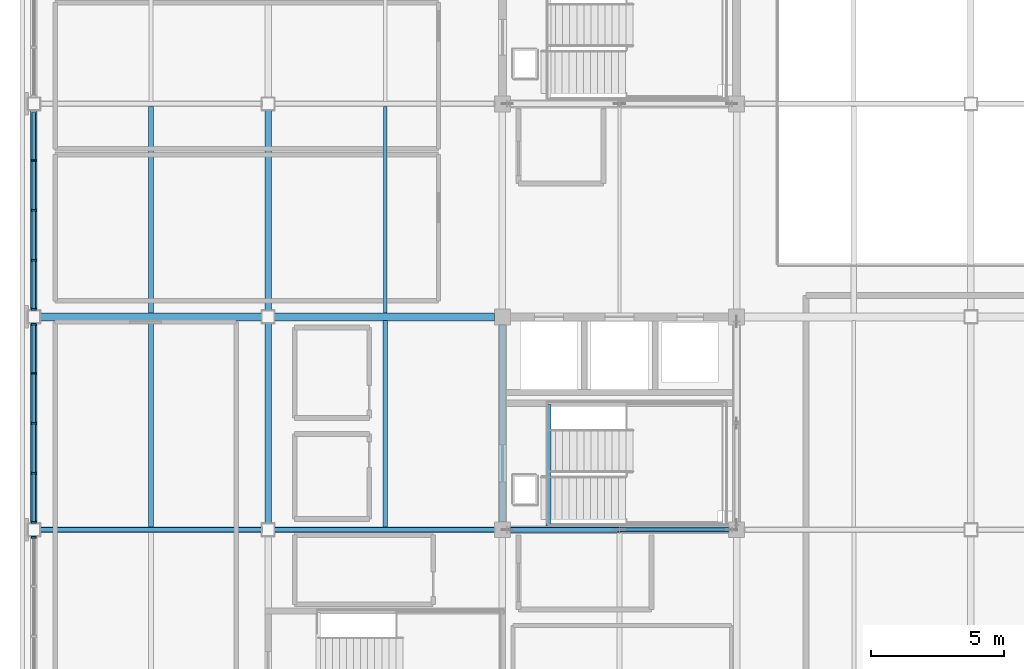
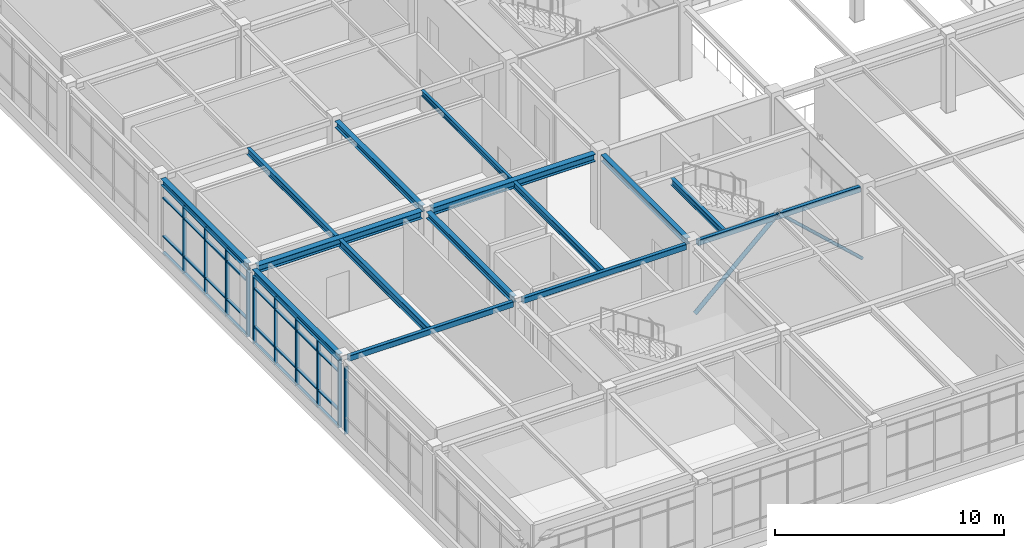
# One storey, part 7 of 45: 44 members, 15 beams, 3 elements without a shape of their own.
"""IFC4 building model written with IfcOpenShell, lengths in metres."""

import ifcopenshell
import ifcopenshell.guid

model = None  # the IFC model being written
_history = None  # IfcOwnerHistory: only IFC2X3 demands one
_inside = {}  # id of a spatial element -> (the spatial element, [elements in it])
_under = {}  # id of a project, library or spatial element -> (it, [spatial elements below it])
_declared = {}  # id of a project -> (the project, [libraries it declares])
_typed = {}  # id of a type object -> (the type object, [elements of that type])
_made_of = {}  # id of a material, layer set ... -> (it, [elements and type objects made of it])


def new_model(schema):
    """Start an empty IFC model of exactly this schema.

    Asked for "IFC4X3", IfcOpenShell would pick the latest addendum, in which some entities
    have other attributes; the version numbers below select the first issue.
    IFC2X3 requires an IfcOwnerHistory on every rooted entity: one is made here for all.
    """
    global model, _history
    if schema == "IFC4X3":
        model = ifcopenshell.file(schema_version=(4, 3, 0, 0))
    else:
        model = ifcopenshell.file(schema=schema)
    _inside.clear()
    _under.clear()
    _declared.clear()
    _typed.clear()
    _made_of.clear()
    _history = None
    if model.schema == "IFC2X3":
        org = make("IfcOrganization", Name="unknown")
        user = make(
            "IfcPersonAndOrganization",
            ThePerson=make("IfcPerson", FamilyName="unknown"),
            TheOrganization=org,
        )
        app = make(
            "IfcApplication",
            ApplicationDeveloper=org,
            Version="unknown",
            ApplicationFullName="unknown",
            ApplicationIdentifier="unknown",
        )
        _history = make(
            "IfcOwnerHistory",
            OwningUser=user,
            OwningApplication=app,
            ChangeAction="ADDED",
            CreationDate=0,
        )
    return model


def make(cls, **values):
    """One entity of the class cls with the attributes given. An attribute that is None is left unset."""
    return model.create_entity(
        cls, **{name: value for name, value in values.items() if value is not None}
    )


def rooted(cls, **values):
    """An entity with a GlobalId (a new one), such as an element, a storey or a relation."""
    return make(cls, GlobalId=ifcopenshell.guid.new(), OwnerHistory=_history, **values)


def si_unit(unit_type, name, prefix=None):
    """IfcSIUnit, for example si_unit("LENGTHUNIT", "METRE", prefix="MILLI")."""
    return make("IfcSIUnit", UnitType=unit_type, Prefix=prefix, Name=name)


def assignment(units):
    """IfcUnitAssignment: the units of a project."""
    return None if units is None else make("IfcUnitAssignment", Units=units)


def point(xyz):
    """IfcCartesianPoint."""
    return None if xyz is None else make("IfcCartesianPoint", Coordinates=xyz)


def direction(xyz):
    """IfcDirection."""
    return None if xyz is None else make("IfcDirection", DirectionRatios=xyz)


def frame(location, z_axis=None, x_axis=None):
    """IfcAxis2Placement3D, a coordinate frame: its origin and axes. An axis left out is left unset."""
    return make(
        "IfcAxis2Placement3D",
        Location=point(location),
        Axis=direction(z_axis),
        RefDirection=direction(x_axis),
    )


def frame_2d(location, x_axis=None):
    """IfcAxis2Placement2D, a coordinate frame in the plane: its origin and x axis."""
    return make(
        "IfcAxis2Placement2D", Location=point(location), RefDirection=direction(x_axis)
    )


def origin():
    """The frame at (0, 0, 0) with its axes left unset."""
    return frame((0.0, 0.0, 0.0))


def origin_2d():
    """The frame at (0, 0) in the plane with its x axis left unset."""
    return frame_2d((0.0, 0.0))


def place(relative_to, where):
    """IfcLocalPlacement: puts the frame where relative to a parent placement (None: the world)."""
    return make(
        "IfcLocalPlacement", PlacementRelTo=relative_to, RelativePlacement=where
    )


def context(
    kind, dimensions, precision=None, world=None, true_north=None, identifier=None
):
    """IfcGeometricRepresentationContext, for example the 3D "Model" context."""
    return make(
        "IfcGeometricRepresentationContext",
        ContextIdentifier=identifier,
        ContextType=kind,
        CoordinateSpaceDimension=dimensions,
        Precision=precision,
        WorldCoordinateSystem=world,
        TrueNorth=true_north,
    )


def subcontext(parent, identifier, kind, view, scale=None):
    """IfcGeometricRepresentationSubContext, for example "Body" below "Model"."""
    return make(
        "IfcGeometricRepresentationSubContext",
        ContextIdentifier=identifier,
        ContextType=kind,
        ParentContext=parent,
        TargetScale=scale,
        TargetView=view,
    )


def project(units=None, contexts=None):
    """IfcProject with its units and contexts."""
    return rooted(
        "IfcProject",
        Name="project",
        RepresentationContexts=contexts,
        UnitsInContext=assignment(units),
    )


def spatial(cls, under=None, at=None, **own):
    """A site, building, storey or space (cls), placed at a placement, below another one or the project."""
    s = rooted(cls, ObjectPlacement=at, **own)
    if under is not None:
        _under.setdefault(under.id(), (under, []))[1].append(s)
    return s


def profile(cls, at=None, kind="AREA", **sizes):
    """A parametric profile (cls). Its sizes go by their IFC names, for example OverallWidth=200.0."""
    return make(cls, ProfileType=kind, Position=at, **sizes)


def rectangle(**sizes):
    """IfcRectangleProfileDef."""
    return profile("IfcRectangleProfileDef", **sizes)


def hollow_rectangle(**sizes):
    """IfcRectangleHollowProfileDef."""
    return profile("IfcRectangleHollowProfileDef", **sizes)


def hollow_circle(**sizes):
    """IfcCircleHollowProfileDef."""
    return profile("IfcCircleHollowProfileDef", **sizes)


def i_section(**sizes):
    """IfcIShapeProfileDef."""
    return profile("IfcIShapeProfileDef", **sizes)


def extrude(swept, where, along, depth):
    """IfcExtrudedAreaSolid: the profile swept, set in the frame where, extruded along a direction by depth."""
    return make(
        "IfcExtrudedAreaSolid",
        SweptArea=swept,
        Position=where,
        ExtrudedDirection=direction(along),
        Depth=depth,
    )


def shape(context_of_items, identifier, shape_type, items):
    """IfcShapeRepresentation: the items that make up one representation, for example the "Body"."""
    return make(
        "IfcShapeRepresentation",
        ContextOfItems=context_of_items,
        RepresentationIdentifier=identifier,
        RepresentationType=shape_type,
        Items=items,
    )


def material(Name=None, Category=None):
    """IfcMaterial."""
    return make("IfcMaterial", Name=Name, Category=Category)


def material_profile(
    of_material, cross_section, Name=None, Category=None, Priority=None
):
    """IfcMaterialProfile: a cross section and its material."""
    return make(
        "IfcMaterialProfile",
        Name=Name,
        Material=of_material,
        Profile=cross_section,
        Priority=Priority,
        Category=Category,
    )


def profile_set(profiles, Name=None, composite=None):
    """IfcMaterialProfileSet."""
    return make(
        "IfcMaterialProfileSet",
        Name=Name,
        MaterialProfiles=profiles,
        CompositeProfile=composite,
    )


def made_of(thing, what):
    """Note that an element or type object is made of a material, layer set ...; save() writes the relation."""
    if what is not None:
        _made_of.setdefault(what.id(), (what, []))[1].append(thing)
    return thing


def type_object(cls, material=None, **own):
    """A type object (cls), such as IfcWallType, which elements share."""
    return made_of(rooted(cls, **own), material)


def element(
    cls,
    number,
    at=None,
    inside=None,
    cuts=None,
    type_object=None,
    material=None,
    context=None,
    identifier="Body",
    shape_type=None,
    held_by="IfcProductDefinitionShape",
    body=None,
    shapes=None,
    **own,
):
    """One element of the class cls, such as IfcWall. Its Tag is "e" and its number.

    at: its placement. inside: the storey or other place that contains it. cuts: it is an
    opening in that element (IfcRelVoidsElement). A single representation is given by context,
    identifier, shape_type and body (its items); several are given by shapes. held_by: the class
    of the entity that holds the representations. save() writes the other relations.
    """
    e = rooted(cls, Tag="e%d" % number, ObjectPlacement=at, **own)
    if body is not None:
        shapes = [shape(context, identifier, shape_type, body)]
    if shapes is not None:
        e.Representation = make(held_by, Representations=shapes)
    if inside is not None:
        _inside.setdefault(inside.id(), (inside, []))[1].append(e)
    if cuts is not None:
        rooted(
            "IfcRelVoidsElement", RelatingBuildingElement=cuts, RelatedOpeningElement=e
        )
    if type_object is not None:
        _typed.setdefault(type_object.id(), (type_object, []))[1].append(e)
    return made_of(e, material)


def aggregate(whole, parts):
    """IfcRelAggregates: a whole, such as a stair, and the parts it consists of."""
    return rooted("IfcRelAggregates", RelatingObject=whole, RelatedObjects=parts)


def save(model, path):
    """Write the relations noted so far, then the file.

    IfcRelAggregates (storeys below a building ...), IfcRelContainedInSpatialStructure (elements
    in a storey), IfcRelDefinesByType, IfcRelAssociatesMaterial and IfcRelDeclares: one each for
    every whole, place, type object, material and project.
    """
    for whole, parts in _under.values():
        aggregate(whole, parts)
    for where, things in _inside.values():
        rooted(
            "IfcRelContainedInSpatialStructure",
            RelatedElements=things,
            RelatingStructure=where,
        )
    for kind, things in _typed.values():
        rooted("IfcRelDefinesByType", RelatedObjects=things, RelatingType=kind)
    for what, things in _made_of.values():
        rooted("IfcRelAssociatesMaterial", RelatedObjects=things, RelatingMaterial=what)
    for by, libraries in _declared.values():
        rooted("IfcRelDeclares", RelatingContext=by, RelatedDefinitions=libraries)
    model.write(path)


model = new_model("IFC4")

# Units and contexts
model_context = context("Model", 3, precision=1e-05, world=origin(), true_north=direction((0.0, 1.0)))
body_context = subcontext(model_context, "Body", "Model", "MODEL_VIEW")
ifc_project = project(units=[si_unit("LENGTHUNIT", "METRE"), si_unit("AREAUNIT", "SQUARE_METRE"), si_unit("VOLUMEUNIT", "CUBIC_METRE"), si_unit("PLANEANGLEUNIT", "RADIAN"), si_unit("MASSUNIT", "GRAM", prefix="KILO")], contexts=[model_context])

# Site, building, storey
site_placement = place(None, origin())
site = spatial("IfcSite", under=ifc_project, at=site_placement, CompositionType="ELEMENT")
building_placement = place(site_placement, origin())
building = spatial("IfcBuilding", under=site, at=building_placement, Name="Zhaolan Boulevard Law Courts", CompositionType="ELEMENT")
storey_placement = place(building_placement, frame((0.0, 0.0, 24.60009765625)))
storey = spatial("IfcBuildingStorey", under=building, at=storey_placement, Name="L05", CompositionType="ELEMENT", Elevation=24.60009765625)

# Member
ifc_material_1 = material(Name="Structural steel Q355B", Category="steel")
ifc_material_profile_1 = material_profile(ifc_material_1, hollow_circle(Radius=0.109619140625, WallThickness=0.008056640625, at=origin_2d()), Name="CHS219x8")
ifc_profile_set_1 = profile_set([ifc_material_profile_1], Name="Structural steel Q355B")
member_type_1 = type_object("IfcMemberType", Name="BRACE CHS219", PredefinedType="BRACE", material=ifc_profile_set_1)
member_1_placement = place(storey_placement, frame((17.780029296875, 46.0, 0.02978515625), z_axis=(0.73525664892, 0.0, 0.677788802076), x_axis=(0.0, 1.0, 0.0)))
element("IfcMember", 1, at=member_1_placement, inside=storey, type_object=member_type_1, Name="Core Brace BR-W1-L05-S1", PredefinedType="BRACE", context=body_context, shape_type="SweptSolid", body=[
    extrude(hollow_circle(Radius=0.109619140625, WallThickness=0.008056640625, at=origin_2d()), origin(), (0.0, 0.0, 1.0), 5.739501953125),
])

# Curtain wall, member
ifc_material_2 = material(Name="Thermally broken aluminium and low-E glazing", Category="aluminium")
curtain_wall_type_1 = type_object("IfcCurtainWallType", Name="CURTAIN WALL M21", PredefinedType="USERDEFINED", material=ifc_material_2)
curtain_wall_1_placement = place(storey_placement, origin())
curtain_wall_1 = element("IfcCurtainWall", 2, at=curtain_wall_1_placement, inside=storey, type_object=curtain_wall_type_1, Name="Curtain Wall CW-L05-213", ObjectType="CURTAIN WALL", PredefinedType="USERDEFINED")
ifc_material_3 = material(Name="Fluorocarbon-coated aluminium 6063-T6", Category="aluminium")
ifc_material_profile_2 = material_profile(ifc_material_3, rectangle(XDim=0.179931640625, YDim=0.06494140625, at=origin_2d()), Name="AL65x180")
ifc_profile_set_2 = profile_set([ifc_material_profile_2], Name="Fluorocarbon-coated aluminium 6063-T6")
member_type_2 = type_object("IfcMemberType", Name="CWMULLION 65X180", PredefinedType="MULLION", material=ifc_profile_set_2)
member_2_placement = place(storey_placement, frame((0.0, 45.715576171875, 0.0), z_axis=(0.0, 0.0, 1.0), x_axis=(1.0, 0.0, 0.0)))
member_2 = element("IfcMember", 3, at=member_2_placement, type_object=member_type_2, Name="CW-L05-213 mullion 1", PredefinedType="MULLION", context=body_context, shape_type="SweptSolid", body=[
    extrude(rectangle(XDim=0.179931640625, YDim=0.06494140625, at=origin_2d()), origin(), (0.0, 0.0, 1.0), 3.593017578125),
])
aggregate(curtain_wall_1, [member_2])

# Curtain wall, members
ifc_material_4 = material(Name="Thermally broken aluminium and low-E glazing", Category="aluminium")
curtain_wall_type_2 = type_object("IfcCurtainWallType", Name="CURTAIN WALL M22", PredefinedType="USERDEFINED", material=ifc_material_4)
curtain_wall_2_placement = place(storey_placement, origin())
curtain_wall_2 = element("IfcCurtainWall", 4, at=curtain_wall_2_placement, inside=storey, type_object=curtain_wall_type_2, Name="Curtain Wall CW-L05-214", ObjectType="CURTAIN WALL", PredefinedType="USERDEFINED")
member_3_placement = place(storey_placement, frame((0.0, 53.715576171875, 0.0), z_axis=(0.0, 0.0, 1.0), x_axis=(1.0, 0.0, 0.0)))
member_3 = element("IfcMember", 5, at=member_3_placement, type_object=member_type_2, Name="CW-L05-214 mullion 1", PredefinedType="MULLION", context=body_context, shape_type="SweptSolid", body=[
    extrude(rectangle(XDim=0.179931640625, YDim=0.06494140625, at=origin_2d()), origin(), (0.0, 0.0, 1.0), 3.593017578125),
])
member_4_placement = place(storey_placement, frame((0.0, 51.8740234375, 0.0), z_axis=(0.0, 0.0, 1.0), x_axis=(1.0, 0.0, 0.0)))
member_4 = element("IfcMember", 6, at=member_4_placement, type_object=member_type_2, Name="CW-L05-214 mullion 2", PredefinedType="MULLION", context=body_context, shape_type="SweptSolid", body=[
    extrude(rectangle(XDim=0.179931640625, YDim=0.06494140625, at=origin_2d()), origin(), (0.0, 0.0, 1.0), 3.593017578125),
])
member_5_placement = place(storey_placement, frame((0.0, 50.0, 0.0), z_axis=(0.0, 0.0, 1.0), x_axis=(1.0, 0.0, 0.0)))
member_5 = element("IfcMember", 7, at=member_5_placement, type_object=member_type_2, Name="CW-L05-214 mullion 3", PredefinedType="MULLION", context=body_context, shape_type="SweptSolid", body=[
    extrude(rectangle(XDim=0.179931640625, YDim=0.06494140625, at=origin_2d()), origin(), (0.0, 0.0, 1.0), 3.593017578125),
])
member_6_placement = place(storey_placement, frame((0.0, 48.1259765625, 0.0), z_axis=(0.0, 0.0, 1.0), x_axis=(1.0, 0.0, 0.0)))
member_6 = element("IfcMember", 8, at=member_6_placement, type_object=member_type_2, Name="CW-L05-214 mullion 4", PredefinedType="MULLION", context=body_context, shape_type="SweptSolid", body=[
    extrude(rectangle(XDim=0.179931640625, YDim=0.06494140625, at=origin_2d()), origin(), (0.0, 0.0, 1.0), 3.593017578125),
])
member_7_placement = place(storey_placement, frame((0.0, 46.284423828125, 0.0), z_axis=(0.0, 0.0, 1.0), x_axis=(1.0, 0.0, 0.0)))
member_7 = element("IfcMember", 9, at=member_7_placement, type_object=member_type_2, Name="CW-L05-214 mullion 5", PredefinedType="MULLION", context=body_context, shape_type="SweptSolid", body=[
    extrude(rectangle(XDim=0.179931640625, YDim=0.06494140625, at=origin_2d()), origin(), (0.0, 0.0, 1.0), 3.593017578125),
])

ifc_material_5 = material(Name="Thermally broken aluminium and low-E glazing", Category="aluminium")
curtain_wall_type_3 = type_object("IfcCurtainWallType", Name="CURTAIN WALL M23", PredefinedType="USERDEFINED", material=ifc_material_5)
curtain_wall_3_placement = place(storey_placement, origin())
curtain_wall_3 = element("IfcCurtainWall", 10, at=curtain_wall_3_placement, inside=storey, type_object=curtain_wall_type_3, Name="Curtain Wall CW-L05-215", ObjectType="CURTAIN WALL", PredefinedType="USERDEFINED")
member_8_placement = place(storey_placement, frame((0.0, 59.8740234375, 0.0), z_axis=(0.0, 0.0, 1.0), x_axis=(1.0, 0.0, 0.0)))
member_8 = element("IfcMember", 11, at=member_8_placement, type_object=member_type_2, Name="CW-L05-215 mullion 2", PredefinedType="MULLION", context=body_context, shape_type="SweptSolid", body=[
    extrude(rectangle(XDim=0.179931640625, YDim=0.06494140625, at=origin_2d()), origin(), (0.0, 0.0, 1.0), 3.593017578125),
])
member_9_placement = place(storey_placement, frame((0.0, 58.0, 0.0), z_axis=(0.0, 0.0, 1.0), x_axis=(1.0, 0.0, 0.0)))
member_9 = element("IfcMember", 12, at=member_9_placement, type_object=member_type_2, Name="CW-L05-215 mullion 3", PredefinedType="MULLION", context=body_context, shape_type="SweptSolid", body=[
    extrude(rectangle(XDim=0.179931640625, YDim=0.06494140625, at=origin_2d()), origin(), (0.0, 0.0, 1.0), 3.593017578125),
])
member_10_placement = place(storey_placement, frame((0.0, 56.1259765625, 0.0), z_axis=(0.0, 0.0, 1.0), x_axis=(1.0, 0.0, 0.0)))
member_10 = element("IfcMember", 13, at=member_10_placement, type_object=member_type_2, Name="CW-L05-215 mullion 4", PredefinedType="MULLION", context=body_context, shape_type="SweptSolid", body=[
    extrude(rectangle(XDim=0.179931640625, YDim=0.06494140625, at=origin_2d()), origin(), (0.0, 0.0, 1.0), 3.593017578125),
])
member_11_placement = place(storey_placement, frame((0.0, 54.284423828125, 0.0), z_axis=(0.0, 0.0, 1.0), x_axis=(1.0, 0.0, 0.0)))
member_11 = element("IfcMember", 14, at=member_11_placement, type_object=member_type_2, Name="CW-L05-215 mullion 5", PredefinedType="MULLION", context=body_context, shape_type="SweptSolid", body=[
    extrude(rectangle(XDim=0.179931640625, YDim=0.06494140625, at=origin_2d()), origin(), (0.0, 0.0, 1.0), 3.593017578125),
])

# Member
ifc_material_6 = material(Name="Fluorocarbon-coated aluminium 6063-T6", Category="aluminium")
ifc_material_profile_3 = material_profile(ifc_material_6, rectangle(XDim=0.139892578125, YDim=0.06494140625, at=origin_2d()), Name="AL65x140")
ifc_profile_set_3 = profile_set([ifc_material_profile_3], Name="Fluorocarbon-coated aluminium 6063-T6")
member_type_3 = type_object("IfcMemberType", Name="CWTRANSOM 65X140", PredefinedType="USERDEFINED", material=ifc_profile_set_3)
member_12_placement = place(storey_placement, frame((0.0, 53.68310546875, 0.032470703125), z_axis=(0.0, -1.0, 0.0), x_axis=(1.0, 0.0, 0.0)))
member_12 = element("IfcMember", 15, at=member_12_placement, type_object=member_type_3, Name="CW-L05-214 transom 1.1", ObjectType="TRANSOM", PredefinedType="USERDEFINED", context=body_context, shape_type="SweptSolid", body=[
    extrude(rectangle(XDim=0.139892578125, YDim=0.06494140625, at=origin_2d()), origin(), (0.0, 0.0, 1.0), 1.776611328125),
])

member_13_placement = place(storey_placement, frame((0.0, 53.68310546875, 0.89990234375), z_axis=(0.0, -1.0, 0.0), x_axis=(1.0, 0.0, 0.0)))
member_13 = element("IfcMember", 16, at=member_13_placement, type_object=member_type_3, Name="CW-L05-214 transom 1.2", ObjectType="TRANSOM", PredefinedType="USERDEFINED", context=body_context, shape_type="SweptSolid", body=[
    extrude(rectangle(XDim=0.139892578125, YDim=0.06494140625, at=origin_2d()), origin(), (0.0, 0.0, 1.0), 1.776611328125),
])

member_14_placement = place(storey_placement, frame((0.0, 53.68310546875, 2.94287109375), z_axis=(0.0, -1.0, 0.0), x_axis=(1.0, 0.0, 0.0)))
member_14 = element("IfcMember", 17, at=member_14_placement, type_object=member_type_3, Name="CW-L05-214 transom 1.3", ObjectType="TRANSOM", PredefinedType="USERDEFINED", context=body_context, shape_type="SweptSolid", body=[
    extrude(rectangle(XDim=0.139892578125, YDim=0.06494140625, at=origin_2d()), origin(), (0.0, 0.0, 1.0), 1.776611328125),
])

member_15_placement = place(storey_placement, frame((0.0, 53.68310546875, 3.560302734375), z_axis=(0.0, -1.0, 0.0), x_axis=(1.0, 0.0, 0.0)))
member_15 = element("IfcMember", 18, at=member_15_placement, type_object=member_type_3, Name="CW-L05-214 transom 1.4", ObjectType="TRANSOM", PredefinedType="USERDEFINED", context=body_context, shape_type="SweptSolid", body=[
    extrude(rectangle(XDim=0.139892578125, YDim=0.06494140625, at=origin_2d()), origin(), (0.0, 0.0, 1.0), 1.776611328125),
])

member_16_placement = place(storey_placement, frame((0.0, 51.841552734375, 0.032470703125), z_axis=(0.0, -1.0, 0.0), x_axis=(1.0, 0.0, 0.0)))
member_16 = element("IfcMember", 19, at=member_16_placement, type_object=member_type_3, Name="CW-L05-214 transom 2.1", ObjectType="TRANSOM", PredefinedType="USERDEFINED", context=body_context, shape_type="SweptSolid", body=[
    extrude(rectangle(XDim=0.139892578125, YDim=0.06494140625, at=origin_2d()), origin(), (0.0, 0.0, 1.0), 1.80908203125),
])

member_17_placement = place(storey_placement, frame((0.0, 51.841552734375, 0.89990234375), z_axis=(0.0, -1.0, 0.0), x_axis=(1.0, 0.0, 0.0)))
member_17 = element("IfcMember", 20, at=member_17_placement, type_object=member_type_3, Name="CW-L05-214 transom 2.2", ObjectType="TRANSOM", PredefinedType="USERDEFINED", context=body_context, shape_type="SweptSolid", body=[
    extrude(rectangle(XDim=0.139892578125, YDim=0.06494140625, at=origin_2d()), origin(), (0.0, 0.0, 1.0), 1.80908203125),
])

member_18_placement = place(storey_placement, frame((0.0, 51.841552734375, 2.94287109375), z_axis=(0.0, -1.0, 0.0), x_axis=(1.0, 0.0, 0.0)))
member_18 = element("IfcMember", 21, at=member_18_placement, type_object=member_type_3, Name="CW-L05-214 transom 2.3", ObjectType="TRANSOM", PredefinedType="USERDEFINED", context=body_context, shape_type="SweptSolid", body=[
    extrude(rectangle(XDim=0.139892578125, YDim=0.06494140625, at=origin_2d()), origin(), (0.0, 0.0, 1.0), 1.80908203125),
])

member_19_placement = place(storey_placement, frame((0.0, 51.841552734375, 3.560302734375), z_axis=(0.0, -1.0, 0.0), x_axis=(1.0, 0.0, 0.0)))
member_19 = element("IfcMember", 22, at=member_19_placement, type_object=member_type_3, Name="CW-L05-214 transom 2.4", ObjectType="TRANSOM", PredefinedType="USERDEFINED", context=body_context, shape_type="SweptSolid", body=[
    extrude(rectangle(XDim=0.139892578125, YDim=0.06494140625, at=origin_2d()), origin(), (0.0, 0.0, 1.0), 1.80908203125),
])

member_20_placement = place(storey_placement, frame((0.0, 49.967529296875, 0.032470703125), z_axis=(0.0, -1.0, 0.0), x_axis=(1.0, 0.0, 0.0)))
member_20 = element("IfcMember", 23, at=member_20_placement, type_object=member_type_3, Name="CW-L05-214 transom 3.1", ObjectType="TRANSOM", PredefinedType="USERDEFINED", context=body_context, shape_type="SweptSolid", body=[
    extrude(rectangle(XDim=0.139892578125, YDim=0.06494140625, at=origin_2d()), origin(), (0.0, 0.0, 1.0), 1.80908203125),
])

member_21_placement = place(storey_placement, frame((0.0, 49.967529296875, 0.89990234375), z_axis=(0.0, -1.0, 0.0), x_axis=(1.0, 0.0, 0.0)))
member_21 = element("IfcMember", 24, at=member_21_placement, type_object=member_type_3, Name="CW-L05-214 transom 3.2", ObjectType="TRANSOM", PredefinedType="USERDEFINED", context=body_context, shape_type="SweptSolid", body=[
    extrude(rectangle(XDim=0.139892578125, YDim=0.06494140625, at=origin_2d()), origin(), (0.0, 0.0, 1.0), 1.80908203125),
])

member_22_placement = place(storey_placement, frame((0.0, 49.967529296875, 2.94287109375), z_axis=(0.0, -1.0, 0.0), x_axis=(1.0, 0.0, 0.0)))
member_22 = element("IfcMember", 25, at=member_22_placement, type_object=member_type_3, Name="CW-L05-214 transom 3.3", ObjectType="TRANSOM", PredefinedType="USERDEFINED", context=body_context, shape_type="SweptSolid", body=[
    extrude(rectangle(XDim=0.139892578125, YDim=0.06494140625, at=origin_2d()), origin(), (0.0, 0.0, 1.0), 1.80908203125),
])

member_23_placement = place(storey_placement, frame((0.0, 49.967529296875, 3.560302734375), z_axis=(0.0, -1.0, 0.0), x_axis=(1.0, 0.0, 0.0)))
member_23 = element("IfcMember", 26, at=member_23_placement, type_object=member_type_3, Name="CW-L05-214 transom 3.4", ObjectType="TRANSOM", PredefinedType="USERDEFINED", context=body_context, shape_type="SweptSolid", body=[
    extrude(rectangle(XDim=0.139892578125, YDim=0.06494140625, at=origin_2d()), origin(), (0.0, 0.0, 1.0), 1.80908203125),
])

member_24_placement = place(storey_placement, frame((0.0, 48.093505859375, 0.032470703125), z_axis=(0.0, -1.0, 0.0), x_axis=(1.0, 0.0, 0.0)))
member_24 = element("IfcMember", 27, at=member_24_placement, type_object=member_type_3, Name="CW-L05-214 transom 4.1", ObjectType="TRANSOM", PredefinedType="USERDEFINED", context=body_context, shape_type="SweptSolid", body=[
    extrude(rectangle(XDim=0.139892578125, YDim=0.06494140625, at=origin_2d()), origin(), (0.0, 0.0, 1.0), 1.776611328125),
])

member_25_placement = place(storey_placement, frame((0.0, 48.093505859375, 0.89990234375), z_axis=(0.0, -1.0, 0.0), x_axis=(1.0, 0.0, 0.0)))
member_25 = element("IfcMember", 28, at=member_25_placement, type_object=member_type_3, Name="CW-L05-214 transom 4.2", ObjectType="TRANSOM", PredefinedType="USERDEFINED", context=body_context, shape_type="SweptSolid", body=[
    extrude(rectangle(XDim=0.139892578125, YDim=0.06494140625, at=origin_2d()), origin(), (0.0, 0.0, 1.0), 1.776611328125),
])

member_26_placement = place(storey_placement, frame((0.0, 48.093505859375, 2.94287109375), z_axis=(0.0, -1.0, 0.0), x_axis=(1.0, 0.0, 0.0)))
member_26 = element("IfcMember", 29, at=member_26_placement, type_object=member_type_3, Name="CW-L05-214 transom 4.3", ObjectType="TRANSOM", PredefinedType="USERDEFINED", context=body_context, shape_type="SweptSolid", body=[
    extrude(rectangle(XDim=0.139892578125, YDim=0.06494140625, at=origin_2d()), origin(), (0.0, 0.0, 1.0), 1.776611328125),
])

member_27_placement = place(storey_placement, frame((0.0, 48.093505859375, 3.560302734375), z_axis=(0.0, -1.0, 0.0), x_axis=(1.0, 0.0, 0.0)))
member_27 = element("IfcMember", 30, at=member_27_placement, type_object=member_type_3, Name="CW-L05-214 transom 4.4", ObjectType="TRANSOM", PredefinedType="USERDEFINED", context=body_context, shape_type="SweptSolid", body=[
    extrude(rectangle(XDim=0.139892578125, YDim=0.06494140625, at=origin_2d()), origin(), (0.0, 0.0, 1.0), 1.776611328125),
])

aggregate(curtain_wall_2, [member_3, member_4, member_5, member_6, member_7, member_12, member_13, member_14, member_15, member_16, member_17, member_18, member_19, member_20, member_21, member_22, member_23, member_24, member_25, member_26, member_27])

member_28_placement = place(storey_placement, frame((0.0, 61.68310546875, 0.032470703125), z_axis=(0.0, -1.0, 0.0), x_axis=(1.0, 0.0, 0.0)))
member_28 = element("IfcMember", 31, at=member_28_placement, type_object=member_type_3, Name="CW-L05-215 transom 1.1", ObjectType="TRANSOM", PredefinedType="USERDEFINED", context=body_context, shape_type="SweptSolid", body=[
    extrude(rectangle(XDim=0.139892578125, YDim=0.06494140625, at=origin_2d()), origin(), (0.0, 0.0, 1.0), 1.776611328125),
])

member_29_placement = place(storey_placement, frame((0.0, 61.68310546875, 0.89990234375), z_axis=(0.0, -1.0, 0.0), x_axis=(1.0, 0.0, 0.0)))
member_29 = element("IfcMember", 32, at=member_29_placement, type_object=member_type_3, Name="CW-L05-215 transom 1.2", ObjectType="TRANSOM", PredefinedType="USERDEFINED", context=body_context, shape_type="SweptSolid", body=[
    extrude(rectangle(XDim=0.139892578125, YDim=0.06494140625, at=origin_2d()), origin(), (0.0, 0.0, 1.0), 1.776611328125),
])

member_30_placement = place(storey_placement, frame((0.0, 61.68310546875, 2.94287109375), z_axis=(0.0, -1.0, 0.0), x_axis=(1.0, 0.0, 0.0)))
member_30 = element("IfcMember", 33, at=member_30_placement, type_object=member_type_3, Name="CW-L05-215 transom 1.3", ObjectType="TRANSOM", PredefinedType="USERDEFINED", context=body_context, shape_type="SweptSolid", body=[
    extrude(rectangle(XDim=0.139892578125, YDim=0.06494140625, at=origin_2d()), origin(), (0.0, 0.0, 1.0), 1.776611328125),
])

member_31_placement = place(storey_placement, frame((0.0, 61.68310546875, 3.560302734375), z_axis=(0.0, -1.0, 0.0), x_axis=(1.0, 0.0, 0.0)))
member_31 = element("IfcMember", 34, at=member_31_placement, type_object=member_type_3, Name="CW-L05-215 transom 1.4", ObjectType="TRANSOM", PredefinedType="USERDEFINED", context=body_context, shape_type="SweptSolid", body=[
    extrude(rectangle(XDim=0.139892578125, YDim=0.06494140625, at=origin_2d()), origin(), (0.0, 0.0, 1.0), 1.776611328125),
])

member_32_placement = place(storey_placement, frame((0.0, 59.841552734375, 0.032470703125), z_axis=(0.0, -1.0, 0.0), x_axis=(1.0, 0.0, 0.0)))
member_32 = element("IfcMember", 35, at=member_32_placement, type_object=member_type_3, Name="CW-L05-215 transom 2.1", ObjectType="TRANSOM", PredefinedType="USERDEFINED", context=body_context, shape_type="SweptSolid", body=[
    extrude(rectangle(XDim=0.139892578125, YDim=0.06494140625, at=origin_2d()), origin(), (0.0, 0.0, 1.0), 1.80908203125),
])

member_33_placement = place(storey_placement, frame((0.0, 59.841552734375, 0.89990234375), z_axis=(0.0, -1.0, 0.0), x_axis=(1.0, 0.0, 0.0)))
member_33 = element("IfcMember", 36, at=member_33_placement, type_object=member_type_3, Name="CW-L05-215 transom 2.2", ObjectType="TRANSOM", PredefinedType="USERDEFINED", context=body_context, shape_type="SweptSolid", body=[
    extrude(rectangle(XDim=0.139892578125, YDim=0.06494140625, at=origin_2d()), origin(), (0.0, 0.0, 1.0), 1.80908203125),
])

member_34_placement = place(storey_placement, frame((0.0, 59.841552734375, 2.94287109375), z_axis=(0.0, -1.0, 0.0), x_axis=(1.0, 0.0, 0.0)))
member_34 = element("IfcMember", 37, at=member_34_placement, type_object=member_type_3, Name="CW-L05-215 transom 2.3", ObjectType="TRANSOM", PredefinedType="USERDEFINED", context=body_context, shape_type="SweptSolid", body=[
    extrude(rectangle(XDim=0.139892578125, YDim=0.06494140625, at=origin_2d()), origin(), (0.0, 0.0, 1.0), 1.80908203125),
])

member_35_placement = place(storey_placement, frame((0.0, 59.841552734375, 3.560302734375), z_axis=(0.0, -1.0, 0.0), x_axis=(1.0, 0.0, 0.0)))
member_35 = element("IfcMember", 38, at=member_35_placement, type_object=member_type_3, Name="CW-L05-215 transom 2.4", ObjectType="TRANSOM", PredefinedType="USERDEFINED", context=body_context, shape_type="SweptSolid", body=[
    extrude(rectangle(XDim=0.139892578125, YDim=0.06494140625, at=origin_2d()), origin(), (0.0, 0.0, 1.0), 1.80908203125),
])

member_36_placement = place(storey_placement, frame((0.0, 57.967529296875, 0.032470703125), z_axis=(0.0, -1.0, 0.0), x_axis=(1.0, 0.0, 0.0)))
member_36 = element("IfcMember", 39, at=member_36_placement, type_object=member_type_3, Name="CW-L05-215 transom 3.1", ObjectType="TRANSOM", PredefinedType="USERDEFINED", context=body_context, shape_type="SweptSolid", body=[
    extrude(rectangle(XDim=0.139892578125, YDim=0.06494140625, at=origin_2d()), origin(), (0.0, 0.0, 1.0), 1.80908203125),
])

member_37_placement = place(storey_placement, frame((0.0, 57.967529296875, 0.89990234375), z_axis=(0.0, -1.0, 0.0), x_axis=(1.0, 0.0, 0.0)))
member_37 = element("IfcMember", 40, at=member_37_placement, type_object=member_type_3, Name="CW-L05-215 transom 3.2", ObjectType="TRANSOM", PredefinedType="USERDEFINED", context=body_context, shape_type="SweptSolid", body=[
    extrude(rectangle(XDim=0.139892578125, YDim=0.06494140625, at=origin_2d()), origin(), (0.0, 0.0, 1.0), 1.80908203125),
])

member_38_placement = place(storey_placement, frame((0.0, 57.967529296875, 2.94287109375), z_axis=(0.0, -1.0, 0.0), x_axis=(1.0, 0.0, 0.0)))
member_38 = element("IfcMember", 41, at=member_38_placement, type_object=member_type_3, Name="CW-L05-215 transom 3.3", ObjectType="TRANSOM", PredefinedType="USERDEFINED", context=body_context, shape_type="SweptSolid", body=[
    extrude(rectangle(XDim=0.139892578125, YDim=0.06494140625, at=origin_2d()), origin(), (0.0, 0.0, 1.0), 1.80908203125),
])

member_39_placement = place(storey_placement, frame((0.0, 57.967529296875, 3.560302734375), z_axis=(0.0, -1.0, 0.0), x_axis=(1.0, 0.0, 0.0)))
member_39 = element("IfcMember", 42, at=member_39_placement, type_object=member_type_3, Name="CW-L05-215 transom 3.4", ObjectType="TRANSOM", PredefinedType="USERDEFINED", context=body_context, shape_type="SweptSolid", body=[
    extrude(rectangle(XDim=0.139892578125, YDim=0.06494140625, at=origin_2d()), origin(), (0.0, 0.0, 1.0), 1.80908203125),
])

member_40_placement = place(storey_placement, frame((0.0, 56.093505859375, 0.032470703125), z_axis=(0.0, -1.0, 0.0), x_axis=(1.0, 0.0, 0.0)))
member_40 = element("IfcMember", 43, at=member_40_placement, type_object=member_type_3, Name="CW-L05-215 transom 4.1", ObjectType="TRANSOM", PredefinedType="USERDEFINED", context=body_context, shape_type="SweptSolid", body=[
    extrude(rectangle(XDim=0.139892578125, YDim=0.06494140625, at=origin_2d()), origin(), (0.0, 0.0, 1.0), 1.776611328125),
])

member_41_placement = place(storey_placement, frame((0.0, 56.093505859375, 0.89990234375), z_axis=(0.0, -1.0, 0.0), x_axis=(1.0, 0.0, 0.0)))
member_41 = element("IfcMember", 44, at=member_41_placement, type_object=member_type_3, Name="CW-L05-215 transom 4.2", ObjectType="TRANSOM", PredefinedType="USERDEFINED", context=body_context, shape_type="SweptSolid", body=[
    extrude(rectangle(XDim=0.139892578125, YDim=0.06494140625, at=origin_2d()), origin(), (0.0, 0.0, 1.0), 1.776611328125),
])

member_42_placement = place(storey_placement, frame((0.0, 56.093505859375, 2.94287109375), z_axis=(0.0, -1.0, 0.0), x_axis=(1.0, 0.0, 0.0)))
member_42 = element("IfcMember", 45, at=member_42_placement, type_object=member_type_3, Name="CW-L05-215 transom 4.3", ObjectType="TRANSOM", PredefinedType="USERDEFINED", context=body_context, shape_type="SweptSolid", body=[
    extrude(rectangle(XDim=0.139892578125, YDim=0.06494140625, at=origin_2d()), origin(), (0.0, 0.0, 1.0), 1.776611328125),
])

member_43_placement = place(storey_placement, frame((0.0, 56.093505859375, 3.560302734375), z_axis=(0.0, -1.0, 0.0), x_axis=(1.0, 0.0, 0.0)))
member_43 = element("IfcMember", 46, at=member_43_placement, type_object=member_type_3, Name="CW-L05-215 transom 4.4", ObjectType="TRANSOM", PredefinedType="USERDEFINED", context=body_context, shape_type="SweptSolid", body=[
    extrude(rectangle(XDim=0.139892578125, YDim=0.06494140625, at=origin_2d()), origin(), (0.0, 0.0, 1.0), 1.776611328125),
])

aggregate(curtain_wall_3, [member_8, member_9, member_10, member_11, member_28, member_29, member_30, member_31, member_32, member_33, member_34, member_35, member_36, member_37, member_38, member_39, member_40, member_41, member_42, member_43])

# Beams
ifc_material_7 = material(Name="Structural steel Q355B", Category="steel")
ifc_material_profile_4 = material_profile(ifc_material_7, i_section(OverallWidth=0.25, OverallDepth=0.340087890625, WebThickness=0.009033203125, FlangeThickness=0.013916015625, FilletRadius=0.01611328125, at=origin_2d()), Name="HM340x250")
ifc_profile_set_4 = profile_set([ifc_material_profile_4], Name="Structural steel Q355B")
beam_type_1 = type_object("IfcBeamType", Name="GIRDER HM340", PredefinedType="BEAM", material=ifc_profile_set_4)
for number, where, z_axis, x_axis, name in (
    (47, (0.0, 46.24609375, 3.77783203125), (0.0, 1.0, 0.0), (-1.0, 0.0, 0.0), "Beam BY-L06-1-G-H"),
    (48, (0.0, 54.24609375, 3.77783203125), (0.0, 1.0, 0.0), (-1.0, 0.0, 0.0), "Beam BY-L06-1-H-J"),
    (49, (8.800048828125, 46.24609375, 3.77783203125), (0.0, 1.0, 0.0), (-1.0, 0.0, 0.0), "Beam BY-L06-2-G-H"),
    (50, (8.800048828125, 54.24609375, 3.77783203125), (0.0, 1.0, 0.0), (-1.0, 0.0, 0.0), "Beam BY-L06-2-H-J"),
):
    element("IfcBeam", number, at=place(storey_placement, frame(where, z_axis=z_axis, x_axis=x_axis)), inside=storey, type_object=beam_type_1, Name=name, PredefinedType="BEAM", context=body_context, shape_type="SweptSolid", body=[
        extrude(i_section(OverallWidth=0.25, OverallDepth=0.340087890625, WebThickness=0.009033203125, FlangeThickness=0.013916015625, FilletRadius=0.01611328125, at=origin_2d()), origin(), (0.0, 0.0, 1.0), 7.5078125),
    ])
beam_1_placement = place(storey_placement, frame((17.60009765625, 46.2958984375, 3.77783203125), z_axis=(0.0, 1.0, 0.0), x_axis=(-1.0, 0.0, 0.0)))
element("IfcBeam", 51, at=beam_1_placement, inside=storey, type_object=beam_type_1, Name="Beam BY-L06-3-G-H", PredefinedType="BEAM", context=body_context, shape_type="SweptSolid", body=[
    extrude(i_section(OverallWidth=0.25, OverallDepth=0.340087890625, WebThickness=0.009033203125, FlangeThickness=0.013916015625, FilletRadius=0.01611328125, at=origin_2d()), origin(), (0.0, 0.0, 1.0), 7.408203125),
])
ifc_material_8 = material(Name="Structural steel Q355B", Category="steel")
ifc_material_profile_5 = material_profile(ifc_material_8, i_section(OverallWidth=0.300048828125, OverallDepth=0.389892578125, WebThickness=0.010009765625, FlangeThickness=0.01611328125, FilletRadius=0.01806640625, at=origin_2d()), Name="HM390x300")
ifc_profile_set_5 = profile_set([ifc_material_profile_5], Name="Structural steel Q355B")
beam_type_2 = type_object("IfcBeamType", Name="GIRDER HM390", PredefinedType="BEAM", material=ifc_profile_set_5)
beam_2_placement = place(storey_placement, frame((0.24609375, 54.0, 3.7529296875), z_axis=(1.0, 0.0, 0.0), x_axis=(0.0, 1.0, 0.0)))
element("IfcBeam", 52, at=beam_2_placement, inside=storey, type_object=beam_type_2, Name="Beam BX-L06-1-2-H", PredefinedType="BEAM", context=body_context, shape_type="SweptSolid", body=[
    extrude(i_section(OverallWidth=0.300048828125, OverallDepth=0.389892578125, WebThickness=0.010009765625, FlangeThickness=0.01611328125, FilletRadius=0.01806640625, at=origin_2d()), origin(), (0.0, 0.0, 1.0), 8.307861328125),
])
beam_3_placement = place(storey_placement, frame((9.0458984375, 54.0, 3.7529296875), z_axis=(1.0, 0.0, 0.0), x_axis=(0.0, 1.0, 0.0)))
element("IfcBeam", 53, at=beam_3_placement, inside=storey, type_object=beam_type_2, Name="Beam BX-L06-2-3-H", PredefinedType="BEAM", context=body_context, shape_type="SweptSolid", body=[
    extrude(i_section(OverallWidth=0.300048828125, OverallDepth=0.389892578125, WebThickness=0.010009765625, FlangeThickness=0.01611328125, FilletRadius=0.01806640625, at=origin_2d()), origin(), (0.0, 0.0, 1.0), 8.258056640625),
])
ifc_material_9 = material(Name="Structural steel Q355B", Category="steel")
ifc_material_profile_6 = material_profile(ifc_material_9, i_section(OverallWidth=0.14990234375, OverallDepth=0.300048828125, WebThickness=0.006591796875, FlangeThickness=0.009033203125, FilletRadius=0.010986328125, at=origin_2d()), Name="HN300x150")
ifc_profile_set_6 = profile_set([ifc_material_profile_6], Name="Structural steel Q355B")
beam_type_3 = type_object("IfcBeamType", Name="JOIST HN300", PredefinedType="JOIST", material=ifc_profile_set_6)
beam_4_placement = place(storey_placement, frame((13.199951171875, 54.14599609375, 3.7978515625), z_axis=(0.0, 1.0, 0.0), x_axis=(-1.0, 0.0, 0.0)))
element("IfcBeam", 54, at=beam_4_placement, inside=storey, type_object=beam_type_3, Name="Composite Joist J-L06-2H", PredefinedType="JOIST", context=body_context, shape_type="SweptSolid", body=[
    extrude(i_section(OverallWidth=0.14990234375, OverallDepth=0.300048828125, WebThickness=0.006591796875, FlangeThickness=0.009033203125, FilletRadius=0.010986328125, at=origin_2d()), origin(), (0.0, 0.0, 1.0), 7.758056640625),
])
ifc_material_10 = material(Name="Structural steel Q355B", Category="steel")
ifc_material_profile_7 = material_profile(ifc_material_10, i_section(OverallWidth=0.175048828125, OverallDepth=0.35009765625, WebThickness=0.007080078125, FlangeThickness=0.010986328125, FilletRadius=0.012939453125, at=origin_2d()), Name="HN350x175")
ifc_profile_set_7 = profile_set([ifc_material_profile_7], Name="Structural steel Q355B")
beam_type_4 = type_object("IfcBeamType", Name="JOIST HN350", PredefinedType="JOIST", material=ifc_profile_set_7)
for number, where, z_axis, x_axis, name in (
    (55, (4.39990234375, 54.14599609375, 3.77294921875), (0.0, 1.0, 0.0), (-1.0, 0.0, 0.0), "Composite Joist J-L06-1H"),
    (56, (13.199951171875, 46.095947265625, 3.77294921875), (0.0, 1.0, 0.0), (-1.0, 0.0, 0.0), "Composite Joist J-L06-2G"),
):
    element("IfcBeam", number, at=place(storey_placement, frame(where, z_axis=z_axis, x_axis=x_axis)), inside=storey, type_object=beam_type_4, Name=name, PredefinedType="JOIST", context=body_context, shape_type="SweptSolid", body=[
        extrude(i_section(OverallWidth=0.175048828125, OverallDepth=0.35009765625, WebThickness=0.007080078125, FlangeThickness=0.010986328125, FilletRadius=0.012939453125, at=origin_2d()), origin(), (0.0, 0.0, 1.0), 7.758056640625),
    ])
ifc_material_11 = material(Name="Structural steel Q355B", Category="steel")
ifc_material_profile_8 = material_profile(ifc_material_11, i_section(OverallWidth=0.199951171875, OverallDepth=0.39990234375, WebThickness=0.008056640625, FlangeThickness=0.012939453125, FilletRadius=0.013916015625, at=origin_2d()), Name="HN400x200")
ifc_profile_set_8 = profile_set([ifc_material_profile_8], Name="Structural steel Q355B")
beam_type_5 = type_object("IfcBeamType", Name="JOIST HN400", PredefinedType="JOIST", material=ifc_profile_set_8)
beam_5_placement = place(storey_placement, frame((4.39990234375, 46.095947265625, 3.747802734375), z_axis=(0.0, 1.0, 0.0), x_axis=(-1.0, 0.0, 0.0)))
element("IfcBeam", 57, at=beam_5_placement, inside=storey, type_object=beam_type_5, Name="Composite Joist J-L06-1G", PredefinedType="JOIST", context=body_context, shape_type="SweptSolid", body=[
    extrude(i_section(OverallWidth=0.199951171875, OverallDepth=0.39990234375, WebThickness=0.008056640625, FlangeThickness=0.012939453125, FilletRadius=0.013916015625, at=origin_2d()), origin(), (0.0, 0.0, 1.0), 7.758056640625),
])
ifc_material_12 = material(Name="Structural steel Q355B", Category="steel")
ifc_material_profile_9 = material_profile(ifc_material_12, hollow_rectangle(XDim=0.199951171875, YDim=0.300048828125, WallThickness=0.011962890625, InnerFilletRadius=0.011962890625, OuterFilletRadius=0.02392578125, at=origin_2d()), Name="HSS300x200x12")
ifc_profile_set_9 = profile_set([ifc_material_profile_9], Name="Structural steel Q355B")
beam_type_6 = type_object("IfcBeamType", Name="SPANDREL HSS300", PredefinedType="SPANDREL", material=ifc_profile_set_9)
beam_6_placement = place(storey_placement, frame((0.24609375, 46.0, 3.7978515625), z_axis=(1.0, 0.0, 0.0), x_axis=(0.0, 1.0, 0.0)))
element("IfcBeam", 58, at=beam_6_placement, inside=storey, type_object=beam_type_6, Name="Beam BX-L06-1-2-G", PredefinedType="SPANDREL", context=body_context, shape_type="SweptSolid", body=[
    extrude(hollow_rectangle(XDim=0.199951171875, YDim=0.300048828125, WallThickness=0.011962890625, InnerFilletRadius=0.011962890625, OuterFilletRadius=0.02392578125, at=origin_2d()), origin(), (0.0, 0.0, 1.0), 8.307861328125),
])
beam_7_placement = place(storey_placement, frame((9.0458984375, 46.0, 3.7978515625), z_axis=(1.0, 0.0, 0.0), x_axis=(0.0, 1.0, 0.0)))
element("IfcBeam", 59, at=beam_7_placement, inside=storey, type_object=beam_type_6, Name="Beam BX-L06-2-3-G", PredefinedType="SPANDREL", context=body_context, shape_type="SweptSolid", body=[
    extrude(hollow_rectangle(XDim=0.199951171875, YDim=0.300048828125, WallThickness=0.011962890625, InnerFilletRadius=0.011962890625, OuterFilletRadius=0.02392578125, at=origin_2d()), origin(), (0.0, 0.0, 1.0), 8.258056640625),
])
beam_8_placement = place(storey_placement, frame((17.89599609375, 46.0, 3.7978515625), z_axis=(1.0, 0.0, 0.0), x_axis=(0.0, 1.0, 0.0)))
element("IfcBeam", 60, at=beam_8_placement, inside=storey, type_object=beam_type_6, Name="Beam BX-L06-3-4-G", PredefinedType="SPANDREL", context=body_context, shape_type="SweptSolid", body=[
    extrude(hollow_rectangle(XDim=0.199951171875, YDim=0.300048828125, WallThickness=0.011962890625, InnerFilletRadius=0.011962890625, OuterFilletRadius=0.02392578125, at=origin_2d()), origin(), (0.0, 0.0, 1.0), 8.2080078125),
])
ifc_material_13 = material(Name="Structural steel Q355B", Category="steel")
ifc_material_profile_10 = material_profile(ifc_material_13, i_section(OverallWidth=0.175048828125, OverallDepth=0.35009765625, WebThickness=0.007080078125, FlangeThickness=0.010986328125, FilletRadius=0.012939453125, at=origin_2d()), Name="HN350x175")
ifc_profile_set_10 = profile_set([ifc_material_profile_10], Name="Structural steel Q355B")
beam_type_7 = type_object("IfcBeamType", Name="STAIR TRIMMER HN350", PredefinedType="BEAM", material=ifc_profile_set_10)
beam_9_placement = place(storey_placement, frame((19.3349609375, 46.139892578125, 3.73486328125), z_axis=(0.0, 1.0, 0.0), x_axis=(-1.0, 0.0, 0.0)))
element("IfcBeam", 61, at=beam_9_placement, inside=storey, type_object=beam_type_7, Name="Stair Landing Trimmer Beam STB-ST01-L06", PredefinedType="BEAM", context=body_context, shape_type="SweptSolid", body=[
    extrude(i_section(OverallWidth=0.175048828125, OverallDepth=0.35009765625, WebThickness=0.007080078125, FlangeThickness=0.010986328125, FilletRadius=0.012939453125, at=origin_2d()), origin(), (0.0, 0.0, 1.0), 4.570068359375),
])

# Member
ifc_material_14 = material(Name="Structural steel Q355B", Category="steel")
ifc_material_profile_11 = material_profile(ifc_material_14, hollow_circle(Radius=0.083984375, WallThickness=0.008056640625, at=origin_2d()), Name="CHS168x8")
ifc_profile_set_11 = profile_set([ifc_material_profile_11], Name="Structural steel Q355B")
member_type_4 = type_object("IfcMemberType", Name="STRUT CHS168", PredefinedType="BRACE", material=ifc_profile_set_11)
member_44_placement = place(storey_placement, frame((26.219970703125, 46.0, 0.02978515625), z_axis=(-0.73525664892, 0.0, 0.677788802076), x_axis=(0.0, -1.0, 0.0)))
element("IfcMember", 62, at=member_44_placement, inside=storey, type_object=member_type_4, Name="Core Brace BR-W1-L05-S2", PredefinedType="BRACE", context=body_context, shape_type="SweptSolid", body=[
    extrude(hollow_circle(Radius=0.083984375, WallThickness=0.008056640625, at=origin_2d()), origin(), (0.0, 0.0, 1.0), 5.739501953125),
])

save(model, "model.ifc")
